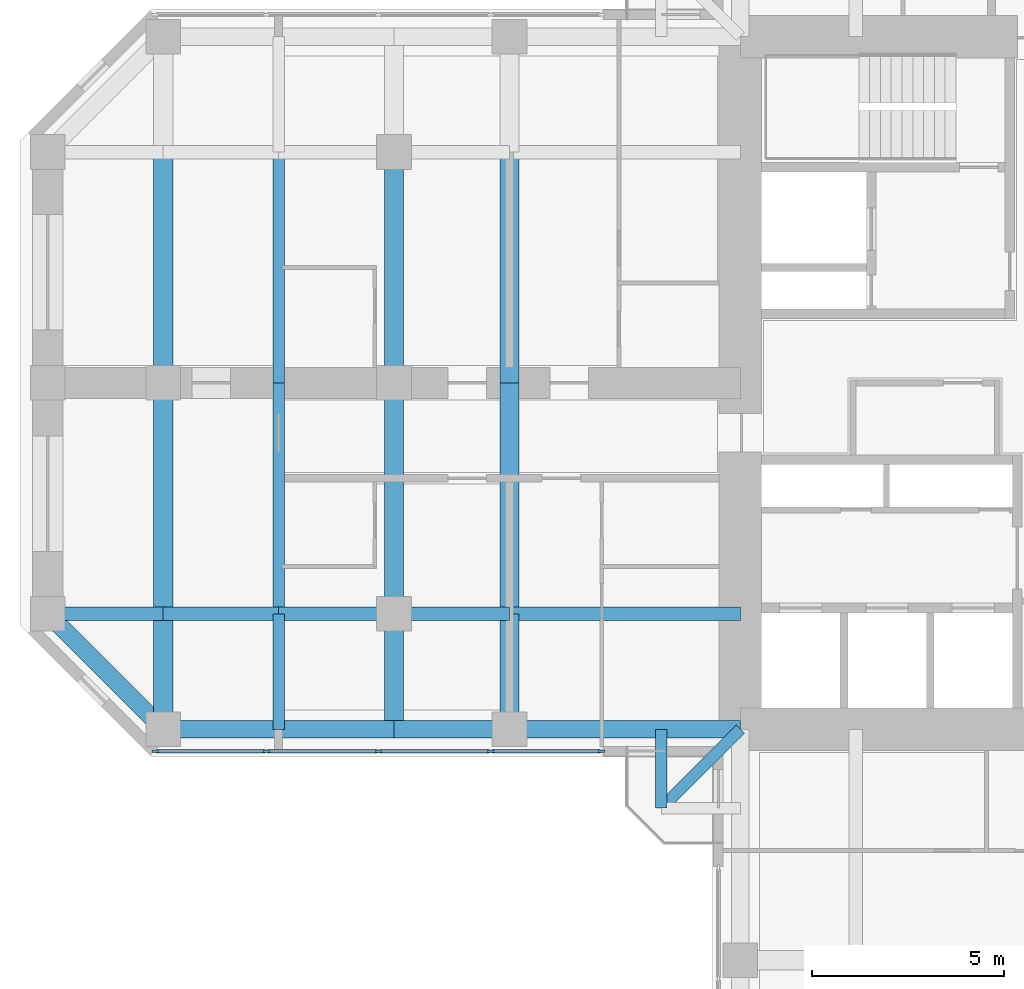
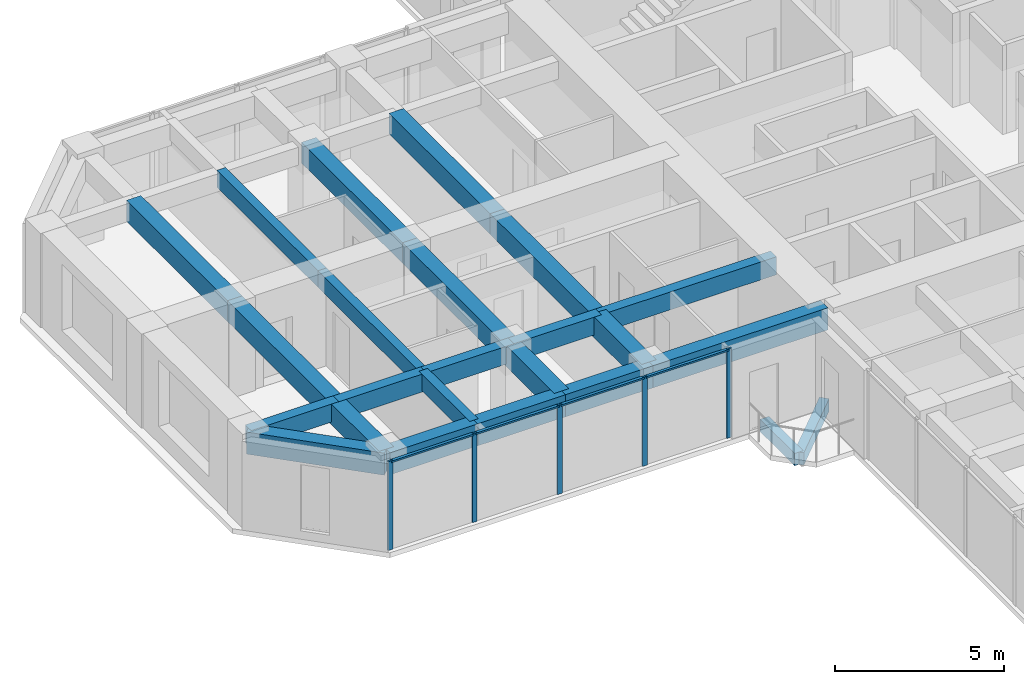
# One storey, part 3 of 14: 24 beams, 9 members, 1 element without a shape of its own.
"""IFC4 building model written with IfcOpenShell, lengths in metres."""

from ifc_helpers import new_model, si_unit, direction, frame, origin, origin_2d, place, context, subcontext, project, spatial, rectangle, extrude, material, material_profile, profile_set, type_object, element, aggregate, save


model = new_model("IFC4")

# Units and contexts
model_context = context("Model", 3, precision=1e-05, world=origin(), true_north=direction((0.0, 1.0)))
body_context = subcontext(model_context, "Body", "Model", "MODEL_VIEW")
ifc_project = project(units=[si_unit("LENGTHUNIT", "METRE"), si_unit("AREAUNIT", "SQUARE_METRE"), si_unit("VOLUMEUNIT", "CUBIC_METRE"), si_unit("PLANEANGLEUNIT", "RADIAN"), si_unit("MASSUNIT", "GRAM", prefix="KILO")], contexts=[model_context])

# Site, building, storey
site_placement = place(None, origin())
site = spatial("IfcSite", under=ifc_project, at=site_placement, CompositionType="ELEMENT")
building_placement = place(site_placement, origin())
building = spatial("IfcBuilding", under=site, at=building_placement, Name="Torre Cruceta", CompositionType="ELEMENT")
storey_placement = place(building_placement, frame((0.0, 0.0, 183.10009765625)))
storey = spatial("IfcBuildingStorey", under=building, at=storey_placement, Name="L45", CompositionType="ELEMENT", Elevation=183.10009765625)

# Beams
ifc_material_1 = material(Name="Concrete G60 (fck 60 MPa)", Category="concrete")
ifc_material_profile_1 = material_profile(ifc_material_1, rectangle(XDim=0.300048828125, YDim=0.449951171875, at=origin_2d()), Name="RC 300X450")
ifc_profile_set_1 = profile_set([ifc_material_profile_1], Name="Concrete G60 (fck 60 MPa)")
beam_type_1 = type_object("IfcBeamType", Name="BALCONY CANTILEVER BEAM RC 300X450", PredefinedType="BEAM", material=ifc_profile_set_1)
beam_1_placement = place(storey_placement, frame((-9.0, -9.0, -0.405029296875), z_axis=(-0.707106781187, -0.707106781187, 0.0), x_axis=(0.707106781187, -0.707106781187, 0.0)))
element("IfcBeam", 1, at=beam_1_placement, inside=storey, type_object=beam_type_1, Name="BB1 balcony beam L45 W", PredefinedType="BEAM", context=body_context, shape_type="SweptSolid", body=[
    extrude(rectangle(XDim=0.300048828125, YDim=0.449951171875, at=origin_2d()), origin(), (0.0, 0.0, 1.0), 2.89990234375),
])
beam_2_placement = place(storey_placement, frame((-11.050537109375, -9.0, -0.405029296875), z_axis=(0.0, -1.0, 0.0), x_axis=(1.0, 0.0, 0.0)))
element("IfcBeam", 2, at=beam_2_placement, inside=storey, type_object=beam_type_1, Name="BB1 balcony edge beam L45 W-X", PredefinedType="BEAM", context=body_context, shape_type="SweptSolid", body=[
    extrude(rectangle(XDim=0.300048828125, YDim=0.449951171875, at=origin_2d()), origin(), (0.0, 0.0, 1.0), 2.050537109375),
])
ifc_material_2 = material(Name="Concrete G60 (fck 60 MPa)", Category="concrete")
ifc_material_profile_2 = material_profile(ifc_material_2, rectangle(XDim=0.35009765625, YDim=0.64990234375, at=origin_2d()), Name="RC 350X650")
ifc_profile_set_2 = profile_set([ifc_material_profile_2], Name="Concrete G60 (fck 60 MPa)")
beam_type_2 = type_object("IfcBeamType", Name="COLUMN LINE BEAM RC 350X650", PredefinedType="BEAM", material=ifc_profile_set_2)
beam_3_placement = place(storey_placement, frame((-9.0, -6.0, 2.89501953125), z_axis=(-1.0, 0.0, 0.0), x_axis=(0.0, -1.0, 0.0)))
element("IfcBeam", 3, at=beam_3_placement, inside=storey, type_object=beam_type_2, Name="LB7 L45 W col+ 1", PredefinedType="BEAM", context=body_context, shape_type="SweptSolid", body=[
    extrude(rectangle(XDim=0.35009765625, YDim=0.64990234375, at=origin_2d()), origin(), (0.0, 0.0, 1.0), 6.0),
])
for number, where, z_axis, x_axis, name in (
    (4, (-15.0, -6.0, 2.89501953125), (-1.0, 0.0, 0.0), (0.0, -1.0, 0.0), "LB7 L45 W col+ 2"),
    (5, (-18.0, -6.0, 2.89501953125), (-1.0, 0.0, 0.0), (0.0, -1.0, 0.0), "LB7 L45 W col+ 3"),
    (6, (-21.0, -6.0, 2.89501953125), (-1.0, 0.0, 0.0), (0.0, -1.0, 0.0), "LB7 L45 W col+ 4"),
    (7, (-24.0, -6.0, 2.89501953125), (-1.0, 0.0, 0.0), (0.0, -1.0, 0.0), "LB7 L45 W col+ 5"),
):
    element("IfcBeam", number, at=place(storey_placement, frame(where, z_axis=z_axis, x_axis=x_axis)), inside=storey, type_object=beam_type_2, Name=name, PredefinedType="BEAM", context=body_context, shape_type="SweptSolid", body=[
        extrude(rectangle(XDim=0.35009765625, YDim=0.64990234375, at=origin_2d()), origin(), (0.0, 0.0, 1.0), 3.0),
    ])
ifc_material_3 = material(Name="Concrete G60 (fck 60 MPa)", Category="concrete")
ifc_material_profile_3 = material_profile(ifc_material_3, rectangle(XDim=0.5, YDim=0.75, at=origin_2d()), Name="RC 500X750")
ifc_profile_set_3 = profile_set([ifc_material_profile_3], Name="Concrete G60 (fck 60 MPa)")
beam_type_3 = type_object("IfcBeamType", Name="CROSS BEAM RC 500X750", PredefinedType="BEAM", material=ifc_profile_set_3)
for number, where, z_axis, x_axis, name in (
    (8, (-15.0, 6.0, 2.844970703125), (0.0, -1.0, 0.0), (1.0, 0.0, 0.0), "GB6 L45 W cross15 2"),
    (9, (-15.0, 0.0, 2.844970703125), (0.0, -1.0, 0.0), (1.0, 0.0, 0.0), "GB6 L45 W cross15 3"),
):
    element("IfcBeam", number, at=place(storey_placement, frame(where, z_axis=z_axis, x_axis=x_axis)), inside=storey, type_object=beam_type_3, Name=name, PredefinedType="BEAM", context=body_context, shape_type="SweptSolid", body=[
        extrude(rectangle(XDim=0.5, YDim=0.75, at=origin_2d()), origin(), (0.0, 0.0, 1.0), 6.0),
    ])
beam_4_placement = place(storey_placement, frame((-15.0, -6.0, 2.844970703125), z_axis=(0.0, -1.0, 0.0), x_axis=(1.0, 0.0, 0.0)))
element("IfcBeam", 10, at=beam_4_placement, inside=storey, type_object=beam_type_3, Name="GB6 L45 W cross15 4", PredefinedType="BEAM", context=body_context, shape_type="SweptSolid", body=[
    extrude(rectangle(XDim=0.5, YDim=0.75, at=origin_2d()), origin(), (0.0, 0.0, 1.0), 3.0),
])
for number, where, z_axis, x_axis, name in (
    (11, (-18.0, 6.0, 2.844970703125), (0.0, -1.0, 0.0), (1.0, 0.0, 0.0), "GB6 L45 W cross18 2"),
    (12, (-18.0, 0.0, 2.844970703125), (0.0, -1.0, 0.0), (1.0, 0.0, 0.0), "GB6 L45 W cross18 3"),
):
    element("IfcBeam", number, at=place(storey_placement, frame(where, z_axis=z_axis, x_axis=x_axis)), inside=storey, type_object=beam_type_3, Name=name, PredefinedType="BEAM", context=body_context, shape_type="SweptSolid", body=[
        extrude(rectangle(XDim=0.5, YDim=0.75, at=origin_2d()), origin(), (0.0, 0.0, 1.0), 6.0),
    ])
beam_5_placement = place(storey_placement, frame((-18.0, -6.0, 2.844970703125), z_axis=(0.0, -1.0, 0.0), x_axis=(1.0, 0.0, 0.0)))
element("IfcBeam", 13, at=beam_5_placement, inside=storey, type_object=beam_type_3, Name="GB6 L45 W cross18 4", PredefinedType="BEAM", context=body_context, shape_type="SweptSolid", body=[
    extrude(rectangle(XDim=0.5, YDim=0.75, at=origin_2d()), origin(), (0.0, 0.0, 1.0), 3.0),
])
for number, where, z_axis, x_axis, name in (
    (14, (-24.0, 6.0, 2.844970703125), (0.0, -1.0, 0.0), (1.0, 0.0, 0.0), "GB6 L45 W cross24 2"),
    (15, (-24.0, 0.0, 2.844970703125), (0.0, -1.0, 0.0), (1.0, 0.0, 0.0), "GB6 L45 W cross24 3"),
):
    element("IfcBeam", number, at=place(storey_placement, frame(where, z_axis=z_axis, x_axis=x_axis)), inside=storey, type_object=beam_type_3, Name=name, PredefinedType="BEAM", context=body_context, shape_type="SweptSolid", body=[
        extrude(rectangle(XDim=0.5, YDim=0.75, at=origin_2d()), origin(), (0.0, 0.0, 1.0), 6.0),
    ])
beam_6_placement = place(storey_placement, frame((-24.0, -6.0, 2.844970703125), z_axis=(0.0, -1.0, 0.0), x_axis=(1.0, 0.0, 0.0)))
element("IfcBeam", 16, at=beam_6_placement, inside=storey, type_object=beam_type_3, Name="GB6 L45 W cross24 4", PredefinedType="BEAM", context=body_context, shape_type="SweptSolid", body=[
    extrude(rectangle(XDim=0.5, YDim=0.75, at=origin_2d()), origin(), (0.0, 0.0, 1.0), 3.0),
])

# Curtain wall, members
ifc_material_4 = material(Name="Aluminium unitised curtain wall", Category="aluminium")
curtain_wall_type = type_object("IfcCurtainWallType", Name="CURTAIN WALL CW-C CO-LIVING", PredefinedType="USERDEFINED", material=ifc_material_4)
curtain_wall_placement = place(storey_placement, origin())
curtain_wall = element("IfcCurtainWall", 17, at=curtain_wall_placement, inside=storey, type_object=curtain_wall_type, Name="CW-C L45 W side 14", ObjectType="UNITISED", PredefinedType="USERDEFINED")
ifc_material_5 = material(Name="Aluminium mullion", Category="aluminium")
ifc_material_profile_4 = material_profile(ifc_material_5, rectangle(XDim=0.06005859375, YDim=0.159912109375, at=origin_2d()), Name="AL 60X160")
ifc_profile_set_4 = profile_set([ifc_material_profile_4], Name="Aluminium mullion")
member_type_1 = type_object("IfcMemberType", Name="CW-C MULLION 60X160", PredefinedType="MULLION", material=ifc_profile_set_4)
member_1_placement = place(storey_placement, frame((-24.2060546875, -9.570068359375, 0.0), z_axis=(0.0, 0.0, 1.0), x_axis=(0.0, 1.0, 0.0)))
member_1 = element("IfcMember", 18, at=member_1_placement, type_object=member_type_1, Name="CW-C mullion 1", PredefinedType="MULLION", context=body_context, shape_type="SweptSolid", body=[
    extrude(rectangle(XDim=0.06005859375, YDim=0.159912109375, at=origin_2d()), origin(), (0.0, 0.0, 1.0), 3.219970703125),
])
member_2_placement = place(storey_placement, frame((-21.319580078125, -9.570068359375, 0.0), z_axis=(0.0, 0.0, 1.0), x_axis=(0.0, 1.0, 0.0)))
member_2 = element("IfcMember", 19, at=member_2_placement, type_object=member_type_1, Name="CW-C mullion 2", PredefinedType="MULLION", context=body_context, shape_type="SweptSolid", body=[
    extrude(rectangle(XDim=0.06005859375, YDim=0.159912109375, at=origin_2d()), origin(), (0.0, 0.0, 1.0), 3.219970703125),
])
member_3_placement = place(storey_placement, frame((-18.403076171875, -9.570068359375, 0.0), z_axis=(0.0, 0.0, 1.0), x_axis=(0.0, 1.0, 0.0)))
member_3 = element("IfcMember", 20, at=member_3_placement, type_object=member_type_1, Name="CW-C mullion 3", PredefinedType="MULLION", context=body_context, shape_type="SweptSolid", body=[
    extrude(rectangle(XDim=0.06005859375, YDim=0.159912109375, at=origin_2d()), origin(), (0.0, 0.0, 1.0), 3.219970703125),
])
member_4_placement = place(storey_placement, frame((-15.486572265625, -9.570068359375, 0.0), z_axis=(0.0, 0.0, 1.0), x_axis=(0.0, 1.0, 0.0)))
member_4 = element("IfcMember", 21, at=member_4_placement, type_object=member_type_1, Name="CW-C mullion 4", PredefinedType="MULLION", context=body_context, shape_type="SweptSolid", body=[
    extrude(rectangle(XDim=0.06005859375, YDim=0.159912109375, at=origin_2d()), origin(), (0.0, 0.0, 1.0), 3.219970703125),
])
member_5_placement = place(storey_placement, frame((-12.60009765625, -9.570068359375, 0.0), z_axis=(0.0, 0.0, 1.0), x_axis=(0.0, 1.0, 0.0)))
member_5 = element("IfcMember", 22, at=member_5_placement, type_object=member_type_1, Name="CW-C mullion 5", PredefinedType="MULLION", context=body_context, shape_type="SweptSolid", body=[
    extrude(rectangle(XDim=0.06005859375, YDim=0.159912109375, at=origin_2d()), origin(), (0.0, 0.0, 1.0), 3.219970703125),
])
ifc_material_6 = material(Name="Aluminium transom", Category="aluminium")
ifc_material_profile_5 = material_profile(ifc_material_6, rectangle(XDim=0.10009765625, YDim=0.06005859375, at=origin_2d()), Name="AL 100X60")
ifc_profile_set_5 = profile_set([ifc_material_profile_5], Name="Aluminium transom")
member_type_2 = type_object("IfcMemberType", Name="CW-C TRANSOM 60X100", PredefinedType="USERDEFINED", material=ifc_profile_set_5)
member_6_placement = place(storey_placement, frame((-24.176025390625, -9.570068359375, 3.18994140625), z_axis=(1.0, 0.0, 0.0), x_axis=(0.0, 1.0, 0.0)))
member_6 = element("IfcMember", 23, at=member_6_placement, type_object=member_type_2, Name="CW-C transom 1", ObjectType="TRANSOM", PredefinedType="USERDEFINED", context=body_context, shape_type="SweptSolid", body=[
    extrude(rectangle(XDim=0.10009765625, YDim=0.06005859375, at=origin_2d()), origin(), (0.0, 0.0, 1.0), 2.826416015625),
])
member_7_placement = place(storey_placement, frame((-21.28955078125, -9.570068359375, 3.18994140625), z_axis=(1.0, 0.0, 0.0), x_axis=(0.0, 1.0, 0.0)))
member_7 = element("IfcMember", 24, at=member_7_placement, type_object=member_type_2, Name="CW-C transom 2", ObjectType="TRANSOM", PredefinedType="USERDEFINED", context=body_context, shape_type="SweptSolid", body=[
    extrude(rectangle(XDim=0.10009765625, YDim=0.06005859375, at=origin_2d()), origin(), (0.0, 0.0, 1.0), 2.8564453125),
])
member_8_placement = place(storey_placement, frame((-18.373046875, -9.570068359375, 3.18994140625), z_axis=(1.0, 0.0, 0.0), x_axis=(0.0, 1.0, 0.0)))
member_8 = element("IfcMember", 25, at=member_8_placement, type_object=member_type_2, Name="CW-C transom 3", ObjectType="TRANSOM", PredefinedType="USERDEFINED", context=body_context, shape_type="SweptSolid", body=[
    extrude(rectangle(XDim=0.10009765625, YDim=0.06005859375, at=origin_2d()), origin(), (0.0, 0.0, 1.0), 2.8564453125),
])
member_9_placement = place(storey_placement, frame((-15.45654296875, -9.570068359375, 3.18994140625), z_axis=(1.0, 0.0, 0.0), x_axis=(0.0, 1.0, 0.0)))
member_9 = element("IfcMember", 26, at=member_9_placement, type_object=member_type_2, Name="CW-C transom 4", ObjectType="TRANSOM", PredefinedType="USERDEFINED", context=body_context, shape_type="SweptSolid", body=[
    extrude(rectangle(XDim=0.10009765625, YDim=0.06005859375, at=origin_2d()), origin(), (0.0, 0.0, 1.0), 2.82666015625),
])
aggregate(curtain_wall, [member_1, member_2, member_3, member_4, member_5, member_6, member_7, member_8, member_9])

# Beams
ifc_material_7 = material(Name="Concrete G60 (fck 60 MPa)", Category="concrete")
ifc_material_profile_6 = material_profile(ifc_material_7, rectangle(XDim=0.300048828125, YDim=0.60009765625, at=origin_2d()), Name="RC 300X600")
ifc_profile_set_6 = profile_set([ifc_material_profile_6], Name="Concrete G60 (fck 60 MPa)")
beam_type_4 = type_object("IfcBeamType", Name="SECONDARY BEAM RC 300X600", PredefinedType="JOIST", material=ifc_profile_set_6)
for number, where, z_axis, x_axis, name in (
    (27, (-21.0, 6.0, 2.919921875), (0.0, -1.0, 0.0), (1.0, 0.0, 0.0), "JB6 L45 W sec21 2"),
    (28, (-21.0, 0.0, 2.919921875), (0.0, -1.0, 0.0), (1.0, 0.0, 0.0), "JB6 L45 W sec21 3"),
):
    element("IfcBeam", number, at=place(storey_placement, frame(where, z_axis=z_axis, x_axis=x_axis)), inside=storey, type_object=beam_type_4, Name=name, PredefinedType="JOIST", context=body_context, shape_type="SweptSolid", body=[
        extrude(rectangle(XDim=0.300048828125, YDim=0.60009765625, at=origin_2d()), origin(), (0.0, 0.0, 1.0), 6.0),
    ])
beam_7_placement = place(storey_placement, frame((-21.0, -6.0, 2.919921875), z_axis=(0.0, -1.0, 0.0), x_axis=(1.0, 0.0, 0.0)))
element("IfcBeam", 29, at=beam_7_placement, inside=storey, type_object=beam_type_4, Name="JB6 L45 W sec21 4", PredefinedType="JOIST", context=body_context, shape_type="SweptSolid", body=[
    extrude(rectangle(XDim=0.300048828125, YDim=0.60009765625, at=origin_2d()), origin(), (0.0, 0.0, 1.0), 3.0),
])
ifc_material_8 = material(Name="Concrete G60 (fck 60 MPa)", Category="concrete")
ifc_material_profile_7 = material_profile(ifc_material_8, rectangle(XDim=0.449951171875, YDim=0.800048828125, at=origin_2d()), Name="RC 450X800")
ifc_profile_set_7 = profile_set([ifc_material_profile_7], Name="Concrete G60 (fck 60 MPa)")
beam_type_5 = type_object("IfcBeamType", Name="SPANDREL BEAM RC 450X800", PredefinedType="SPANDREL", material=ifc_profile_set_7)
beam_8_placement = place(storey_placement, frame((-9.0, -9.0, 2.81982421875), z_axis=(-1.0, 0.0, 0.0), x_axis=(0.0, -1.0, 0.0)))
element("IfcBeam", 30, at=beam_8_placement, inside=storey, type_object=beam_type_5, Name="SB6 L45 W side+ 1", PredefinedType="SPANDREL", context=body_context, shape_type="SweptSolid", body=[
    extrude(rectangle(XDim=0.449951171875, YDim=0.800048828125, at=origin_2d()), origin(), (0.0, 0.0, 1.0), 6.0),
])
for number, where, z_axis, x_axis, name in (
    (31, (-15.0, -9.0, 2.81982421875), (-1.0, 0.0, 0.0), (0.0, -1.0, 0.0), "SB6 L45 W side+ 2"),
    (32, (-18.0, -9.0, 2.81982421875), (-1.0, 0.0, 0.0), (0.0, -1.0, 0.0), "SB6 L45 W side+ 3"),
    (33, (-21.0, -9.0, 2.81982421875), (-1.0, 0.0, 0.0), (0.0, -1.0, 0.0), "SB6 L45 W side+ 4"),
):
    element("IfcBeam", number, at=place(storey_placement, frame(where, z_axis=z_axis, x_axis=x_axis)), inside=storey, type_object=beam_type_5, Name=name, PredefinedType="SPANDREL", context=body_context, shape_type="SweptSolid", body=[
        extrude(rectangle(XDim=0.449951171875, YDim=0.800048828125, at=origin_2d()), origin(), (0.0, 0.0, 1.0), 3.0),
    ])
beam_9_placement = place(storey_placement, frame((-24.0, -9.0, 2.81982421875), z_axis=(-0.707106781187, 0.707106781187, 0.0), x_axis=(-0.707106781187, -0.707106781187, 0.0)))
element("IfcBeam", 34, at=beam_9_placement, inside=storey, type_object=beam_type_5, Name="SB6 L45 W side+ 5", PredefinedType="SPANDREL", context=body_context, shape_type="SweptSolid", body=[
    extrude(rectangle(XDim=0.449951171875, YDim=0.800048828125, at=origin_2d()), origin(), (0.0, 0.0, 1.0), 4.24267578125),
])

save(model, "model.ifc")
